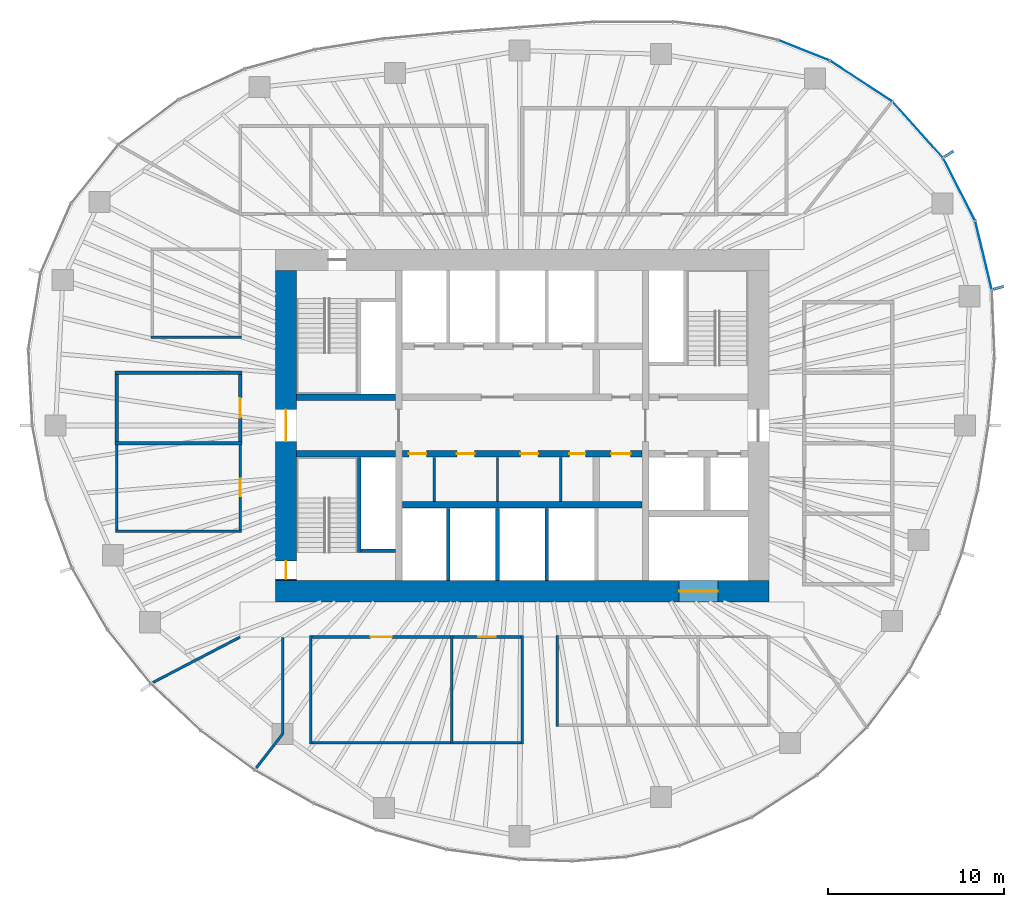
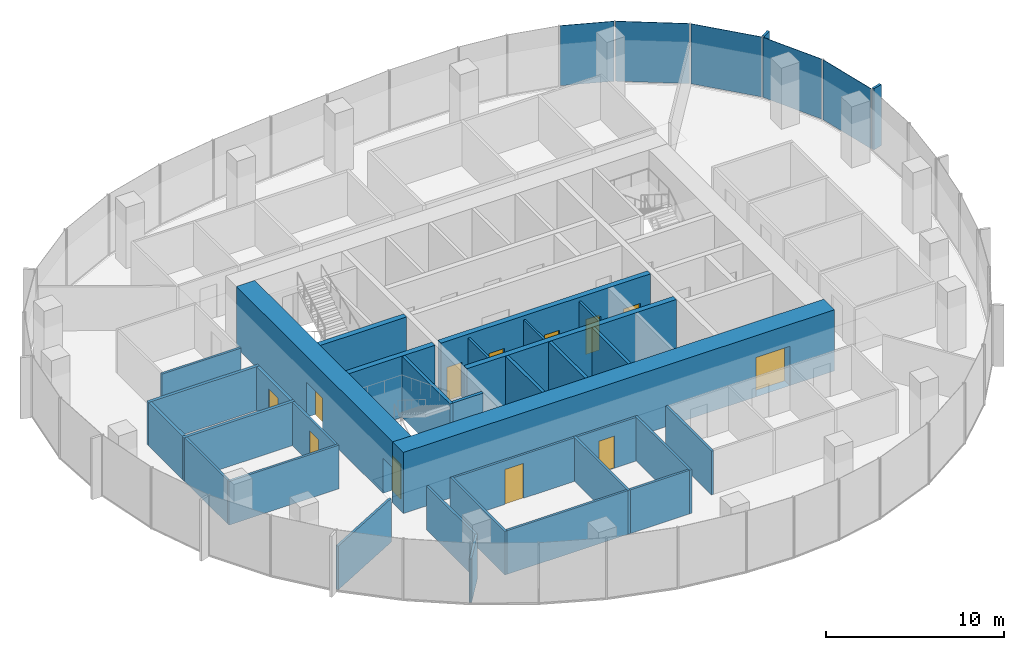
# One storey, part 8 of 12: 33 walls, 12 doors, 7 plates, 12 openings, 3 elements without a shape of their own.
"""IFC4 building model written with IfcOpenShell, lengths in metres."""

from ifc_helpers import new_model, si_unit, direction, frame, frame_2d, origin, origin_2d, place, context, subcontext, project, spatial, rectangle, extrude, material, layer, layer_set, type_object, element, fill, aggregate, save


model = new_model("IFC4")

# Units and contexts
model_context = context("Model", 3, precision=1e-05, world=origin(), true_north=direction((0.0, 1.0)))
body_context = subcontext(model_context, "Body", "Model", "MODEL_VIEW")
ifc_project = project(units=[si_unit("LENGTHUNIT", "METRE"), si_unit("AREAUNIT", "SQUARE_METRE"), si_unit("VOLUMEUNIT", "CUBIC_METRE"), si_unit("PLANEANGLEUNIT", "RADIAN"), si_unit("MASSUNIT", "GRAM", prefix="KILO")], contexts=[model_context])

# Site, building, storey
site_placement = place(None, origin())
site = spatial("IfcSite", under=ifc_project, at=site_placement, CompositionType="ELEMENT")
building_placement = place(site_placement, origin())
building = spatial("IfcBuilding", under=site, at=building_placement, Name="Ghaith Harvest Tower", CompositionType="ELEMENT")
storey_placement = place(building_placement, frame((0.0, 0.0, 232.60009765625)))
storey = spatial("IfcBuildingStorey", under=building, at=storey_placement, Name="L51", CompositionType="ELEMENT", Elevation=232.60009765625)

# Curtain wall, plates
ifc_material_1 = material(Name="Black anodised aluminium and fritted glass", Category="aluminium")
curtain_wall_type = type_object("IfcCurtainWallType", Name="CW-H CURTAIN WALL", PredefinedType="NOTDEFINED", material=ifc_material_1)
curtain_wall_1_placement = place(storey_placement, origin())
curtain_wall_1 = element("IfcCurtainWall", 1, at=curtain_wall_1_placement, inside=storey, type_object=curtain_wall_type, Name="Curtain wall CW-H bay 02 L51", PredefinedType="NOTDEFINED")
ifc_material_2 = material(Name="Glass, dark solar-control fritted double glazed unit", Category="glass")
ifc_layer_1 = layer(ifc_material_2, 0.030029296875)
ifc_layer_set_1 = layer_set([ifc_layer_1], Name="CW-H VISION PANEL")
plate_type_1 = type_object("IfcPlateType", Name="CW-H VISION PANEL", PredefinedType="CURTAIN_PANEL", material=ifc_layer_set_1)
plate_1_placement = place(storey_placement, frame((26.1767578125, 9.6533203125, 0.079833984375), z_axis=(0.0, 0.0, 1.0), x_axis=(-0.233894000303, 0.972262102842, 0.0)))
plate_1 = element("IfcPlate", 2, at=plate_1_placement, type_object=plate_type_1, Name="CW-H glass unit 1 bay 02 L51", PredefinedType="CURTAIN_PANEL", context=body_context, shape_type="SweptSolid", body=[
    extrude(rectangle(XDim=3.935546875, YDim=0.030029296875, at=origin_2d()), origin(), (0.0, 0.0, 1.0), 4.1201171875),
])
plate_2_placement = place(storey_placement, frame((24.790771484375, 13.399658203125, 0.079833984375), z_axis=(0.0, 0.0, 1.0), x_axis=(-0.454915320985, 0.890534699342, 0.0)))
plate_2 = element("IfcPlate", 3, at=plate_2_placement, type_object=plate_type_1, Name="CW-H glass unit 2 bay 02 L51", PredefinedType="CURTAIN_PANEL", context=body_context, shape_type="SweptSolid", body=[
    extrude(rectangle(XDim=3.949462890625, YDim=0.030029296875, at=origin_2d()), origin(), (0.0, 0.0, 1.0), 4.1201171875),
])
aggregate(curtain_wall_1, [plate_1, plate_2])

curtain_wall_2_placement = place(storey_placement, origin())
curtain_wall_2 = element("IfcCurtainWall", 4, at=curtain_wall_2_placement, inside=storey, type_object=curtain_wall_type, Name="Curtain wall CW-H bay 03 L51", PredefinedType="NOTDEFINED")
plate_3_placement = place(storey_placement, frame((22.44384765625, 16.783935546875, 0.079833984375), z_axis=(0.0, 0.0, 1.0), x_axis=(-0.668757736889, 0.743480389352, 0.0)))
plate_3 = element("IfcPlate", 5, at=plate_3_placement, type_object=plate_type_1, Name="CW-H glass unit 1 bay 03 L51", PredefinedType="CURTAIN_PANEL", context=body_context, shape_type="SweptSolid", body=[
    extrude(rectangle(XDim=4.19775390625, YDim=0.030029296875, at=origin_2d()), origin(), (0.0, 0.0, 1.0), 4.1201171875),
])
plate_4_placement = place(storey_placement, frame((19.236328125, 19.539306640625, 0.079833984375), z_axis=(0.0, 0.0, 1.0), x_axis=(-0.836276741583, 0.548307588392, 0.0)))
plate_4 = element("IfcPlate", 6, at=plate_4_placement, type_object=plate_type_1, Name="CW-H glass unit 2 bay 03 L51", PredefinedType="CURTAIN_PANEL", context=body_context, shape_type="SweptSolid", body=[
    extrude(rectangle(XDim=4.169677734375, YDim=0.030029296875, at=origin_2d()), origin(), (0.0, 0.0, 1.0), 4.1201171875),
])
aggregate(curtain_wall_2, [plate_3, plate_4])

# Curtain wall, plate
curtain_wall_3_placement = place(storey_placement, origin())
curtain_wall_3 = element("IfcCurtainWall", 7, at=curtain_wall_3_placement, inside=storey, type_object=curtain_wall_type, Name="Curtain wall CW-H bay 04 L51", PredefinedType="NOTDEFINED")
plate_5_placement = place(storey_placement, frame((15.993408203125, 21.287841796875, 0.079833984375), z_axis=(0.0, 0.0, 1.0), x_axis=(-0.929107322045, 0.369810200133, 0.0)))
plate_5 = element("IfcPlate", 8, at=plate_5_placement, type_object=plate_type_1, Name="CW-H glass unit 1 bay 04 L51", PredefinedType="CURTAIN_PANEL", context=body_context, shape_type="SweptSolid", body=[
    extrude(rectangle(XDim=3.075927734375, YDim=0.030029296875, at=origin_2d()), origin(), (0.0, 0.0, 1.0), 4.1201171875),
])
aggregate(curtain_wall_3, [plate_5])

# Plates
ifc_material_3 = material(Name="Glassfibre-reinforced concrete", Category="concrete")
ifc_layer_2 = layer(ifc_material_3, 0.14990234375)
ifc_layer_set_2 = layer_set([ifc_layer_2], Name="SUN-BREAKER FIN 600x150")
plate_type_2 = type_object("IfcPlateType", Name="SUN-BREAKER FIN 600x150", PredefinedType="USERDEFINED", material=ifc_layer_set_2)
for number, where, z_axis, x_axis, name in (
    (9, (27.03076171875, 7.8125, 0.0), (0.0, 0.0, 1.0), (0.960680349985, 0.277656739792, 0.0), "Sun-breaker fin CW-H 1 bay 02 L51"),
    (10, (24.211669921875, 15.408447265625, 0.0), (0.0, 0.0, 1.0), (0.843643971464, 0.536903016766, 0.0), "Sun-breaker fin CW-H 1 bay 03 L51"),
):
    element("IfcPlate", number, at=place(storey_placement, frame(where, z_axis=z_axis, x_axis=x_axis)), inside=storey, type_object=plate_type_2, Name=name, ObjectType="SUN-BREAKER FIN", PredefinedType="USERDEFINED", context=body_context, shape_type="SweptSolid", body=[
        extrude(rectangle(XDim=0.60009765625, YDim=0.14990234375, at=origin_2d()), origin(), (0.0, 0.0, 1.0), 4.199951171875),
    ])

# Walls
ifc_material_4 = material(Name="Twin-stud gypsum board, acoustic", Category="gypsum")
ifc_layer_3 = layer(ifc_material_4, 0.199951171875)
ifc_layer_set_3 = layer_set([ifc_layer_3], Name="ACOUSTIC PARTITION 200")
wall_type_1 = type_object("IfcWallType", Name="ACOUSTIC PARTITION 200", PredefinedType="PARTITIONING", material=ifc_layer_set_3)
for number, where, z_axis, x_axis, name in (
    (11, (-15.89990234375, -1.0, 0.0), (0.0, 0.0, 1.0), (-1.0, 0.0, 0.0), "Partition L51 row W6 cross wall 2"),
    (12, (-15.89990234375, 3.0, 0.0), (0.0, 0.0, 1.0), (-1.0, 0.0, 0.0), "Partition L51 row W6 cross wall 3"),
):
    element("IfcWall", number, at=place(storey_placement, frame(where, z_axis=z_axis, x_axis=x_axis)), inside=storey, type_object=wall_type_1, Name=name, PredefinedType="PARTITIONING", context=body_context, shape_type="SweptSolid", body=[
        extrude(rectangle(XDim=7.2001953125, YDim=0.199951171875, at=frame_2d((3.60009765625, 0.0))), origin(), (0.0, 0.0, 1.0), 3.0),
    ])

# Wall, opening, door
wall_1_placement = place(storey_placement, frame((-16.0, -0.89990234375, 0.0), z_axis=(0.0, 0.0, 1.0), x_axis=(0.0, 1.0, 0.0)))
wall_1 = element("IfcWall", 13, at=wall_1_placement, inside=storey, type_object=wall_type_1, Name="Partition L51-17", PredefinedType="PARTITIONING", context=body_context, shape_type="SweptSolid", body=[
    extrude(rectangle(XDim=3.7998046875, YDim=0.199951171875, at=frame_2d((1.89990234375, 0.0))), origin(), (0.0, 0.0, 1.0), 3.0),
])
opening_1_placement = place(wall_1_placement, frame((1.35009765625, 0.0, 0.0)))
opening_1 = element("IfcOpeningElement", 14, at=opening_1_placement, cuts=wall_1, Name="Opening 51-038", PredefinedType="OPENING", context=body_context, shape_type="SweptSolid", body=[
    extrude(rectangle(XDim=1.10009765625, YDim=2.300048828125, at=frame_2d((0.550048828125, 1.14990234375))), frame((0.0, 0.10986328125, 0.0), z_axis=(0.0, -1.0, 0.0), x_axis=(1.0, 0.0, 0.0)), (0.0, 0.0, 1.0), 0.219970703125),
])
ifc_material_5 = material(Name="Timber-framed glazed door", Category="wood")
door_type_1 = type_object("IfcDoorType", Name="D12 GLAZED OFFICE 1100x2300", OperationType="SINGLE_SWING_LEFT", PredefinedType="DOOR", material=ifc_material_5)
door_1_placement = place(opening_1_placement, origin())
door_1 = element("IfcDoor", 15, at=door_1_placement, inside=storey, type_object=door_type_1, Name="Quiet room door", OperationType="SINGLE_SWING_LEFT", OverallHeight=2.300048828125, OverallWidth=1.10009765625, PredefinedType="DOOR", context=body_context, shape_type="SweptSolid", body=[
    extrude(rectangle(XDim=1.10009765625, YDim=2.300048828125, at=frame_2d((0.550048828125, 1.14990234375))), frame((0.0, 0.02490234375, 0.0), z_axis=(0.0, -1.0, 0.0), x_axis=(1.0, 0.0, 0.0)), (0.0, 0.0, 1.0), 0.050048828125),
])
fill(opening_1, door_1)

# Walls
wall_2_placement = place(storey_placement, frame((-23.0, -0.89990234375, 0.0), z_axis=(0.0, 0.0, 1.0), x_axis=(0.0, 1.0, 0.0)))
element("IfcWall", 16, at=wall_2_placement, inside=storey, type_object=wall_type_1, Name="Partition L51-17", PredefinedType="PARTITIONING", context=body_context, shape_type="SweptSolid", body=[
    extrude(rectangle(XDim=3.7998046875, YDim=0.199951171875, at=frame_2d((1.89990234375, 0.0))), origin(), (0.0, 0.0, 1.0), 3.0),
])
ifc_material_6 = material(Name="Concrete blockwork, fair-faced", Category="masonry")
ifc_layer_4 = layer(ifc_material_6, 0.139892578125)
ifc_layer_set_4 = layer_set([ifc_layer_4], Name="CORE PARTITION 140")
wall_type_2 = type_object("IfcWallType", Name="CORE PARTITION 140", PredefinedType="PARTITIONING", material=ifc_layer_set_4)
for number, where, z_axis, x_axis, name in (
    (17, (-5.0, -1.800048828125, 0.0), (0.0, 0.0, 1.0), (0.0, -1.0, 0.0), "Core partition L51"),
    (18, (-1.39990234375, -1.800048828125, 0.0), (0.0, 0.0, 1.0), (0.0, -1.0, 0.0), "Core partition L51"),
    (19, (2.199951171875, -1.800048828125, 0.0), (0.0, 0.0, 1.0), (0.0, -1.0, 0.0), "Core partition L51"),
):
    element("IfcWall", number, at=place(storey_placement, frame(where, z_axis=z_axis, x_axis=x_axis)), inside=storey, type_object=wall_type_2, Name=name, PredefinedType="PARTITIONING", context=body_context, shape_type="SweptSolid", body=[
        extrude(rectangle(XDim=2.5, YDim=0.139892578125, at=frame_2d((1.25, 0.0))), origin(), (0.0, 0.0, 1.0), 3.949951171875),
    ])

# Wall, opening, door
ifc_material_7 = material(Name="Concrete C60/75", Category="concrete")
ifc_layer_5 = layer(ifc_material_7, 1.199951171875)
ifc_layer_set_5 = layer_set([ifc_layer_5], Name="CORE WALL CW1200 C60")
wall_type_3 = type_object("IfcWallType", Name="CORE WALL CW1200 C60", PredefinedType="SHEAR", material=ifc_layer_set_5)
wall_3_placement = place(storey_placement, frame((-14.0, -9.39990234375, 0.0), z_axis=(0.0, 0.0, 1.0), x_axis=(1.0, 0.0, 0.0)))
wall_3 = element("IfcWall", 20, at=wall_3_placement, inside=storey, type_object=wall_type_3, Name="Core wall S L51", PredefinedType="SHEAR", context=body_context, shape_type="SweptSolid", body=[
    extrude(rectangle(XDim=28.0, YDim=1.199951171875, at=frame_2d((14.0, 0.0))), origin(), (0.0, 0.0, 1.0), 4.199951171875),
])
opening_2_placement = place(wall_3_placement, frame((22.89990234375, 0.0, 0.0)))
opening_2 = element("IfcOpeningElement", 21, at=opening_2_placement, cuts=wall_3, Name="Opening 51-021", PredefinedType="OPENING", context=body_context, shape_type="SweptSolid", body=[
    extrude(rectangle(XDim=2.199951171875, YDim=2.699951171875, at=frame_2d((1.10009765625, 1.35009765625))), frame((0.0, 0.60986328125, 0.0), z_axis=(0.0, -1.0, 0.0), x_axis=(1.0, 0.0, 0.0)), (0.0, 0.0, 1.0), 1.219970703125),
])
ifc_material_8 = material(Name="Steel fire door", Category="steel")
door_type_2 = type_object("IfcDoorType", Name="LD3 LANDING 2200x2700", OperationType="DOUBLE_DOOR_SLIDING", PredefinedType="DOOR", material=ifc_material_8)
door_2_placement = place(opening_2_placement, origin())
door_2 = element("IfcDoor", 22, at=door_2_placement, inside=storey, type_object=door_type_2, Name="Landing door, goods lift GL1", OperationType="DOUBLE_DOOR_SLIDING", OverallHeight=2.699951171875, OverallWidth=2.199951171875, PredefinedType="DOOR", context=body_context, shape_type="SweptSolid", body=[
    extrude(rectangle(XDim=2.199951171875, YDim=2.699951171875, at=frame_2d((1.10009765625, 1.35009765625))), frame((0.0, 0.02490234375, 0.0), z_axis=(0.0, -1.0, 0.0), x_axis=(1.0, 0.0, 0.0)), (0.0, 0.0, 1.0), 0.050048828125),
])
fill(opening_2, door_2)

# Wall, openings, doors
wall_4_placement = place(storey_placement, frame((-13.39990234375, 8.800048828125, 0.0), z_axis=(0.0, 0.0, 1.0), x_axis=(0.0, -1.0, 0.0)))
wall_4 = element("IfcWall", 23, at=wall_4_placement, inside=storey, type_object=wall_type_3, Name="Core wall W L51", PredefinedType="SHEAR", context=body_context, shape_type="SweptSolid", body=[
    extrude(rectangle(XDim=17.60009765625, YDim=1.199951171875, at=frame_2d((8.800048828125, 0.0))), origin(), (0.0, 0.0, 1.0), 4.199951171875),
])
opening_3_placement = place(wall_4_placement, frame((7.89990234375, 0.0, 0.0)))
opening_3 = element("IfcOpeningElement", 24, at=opening_3_placement, cuts=wall_4, Name="Opening 51-001", PredefinedType="OPENING", context=body_context, shape_type="SweptSolid", body=[
    extrude(rectangle(XDim=1.800048828125, YDim=2.39990234375, at=frame_2d((0.89990234375, 1.199951171875))), frame((0.0, 0.60986328125, 0.0), z_axis=(0.0, -1.0, 0.0), x_axis=(1.0, 0.0, 0.0)), (0.0, 0.0, 1.0), 1.219970703125),
])
opening_4_placement = place(wall_4_placement, frame((16.5, 0.0, 0.0)))
opening_4 = element("IfcOpeningElement", 25, at=opening_4_placement, cuts=wall_4, Name="Opening 51-006", PredefinedType="OPENING", context=body_context, shape_type="SweptSolid", body=[
    extrude(rectangle(XDim=1.0, YDim=2.39990234375, at=frame_2d((0.5, 1.199951171875))), frame((0.0, 0.60986328125, 0.0), z_axis=(0.0, -1.0, 0.0), x_axis=(1.0, 0.0, 0.0)), (0.0, 0.0, 1.0), 1.219970703125),
])
ifc_material_9 = material(Name="Steel fire door", Category="steel")
door_type_3 = type_object("IfcDoorType", Name="D3 FD90 1000x2400", OperationType="SINGLE_SWING_LEFT", PredefinedType="DOOR", material=ifc_material_9)
door_3_placement = place(opening_4_placement, origin())
door_3 = element("IfcDoor", 26, at=door_3_placement, inside=storey, type_object=door_type_3, Name="Stair ST3 door", OperationType="SINGLE_SWING_RIGHT", OverallHeight=2.39990234375, OverallWidth=1.0, PredefinedType="DOOR", context=body_context, shape_type="SweptSolid", body=[
    extrude(rectangle(XDim=1.0, YDim=2.39990234375, at=frame_2d((0.5, 1.199951171875))), frame((0.0, 0.02490234375, 0.0), z_axis=(0.0, -1.0, 0.0), x_axis=(1.0, 0.0, 0.0)), (0.0, 0.0, 1.0), 0.050048828125),
])
fill(opening_4, door_3)
ifc_material_10 = material(Name="Steel fire door", Category="steel")
door_type_4 = type_object("IfcDoorType", Name="D4 FD90 PAIR 1800x2400", OperationType="DOUBLE_DOOR_SINGLE_SWING", PredefinedType="DOOR", material=ifc_material_10)
door_4_placement = place(opening_3_placement, origin())
door_4 = element("IfcDoor", 27, at=door_4_placement, inside=storey, type_object=door_type_4, Name="West lobby doors", OperationType="DOUBLE_DOOR_SINGLE_SWING", OverallHeight=2.39990234375, OverallWidth=1.800048828125, PredefinedType="DOOR", context=body_context, shape_type="SweptSolid", body=[
    extrude(rectangle(XDim=1.800048828125, YDim=2.39990234375, at=frame_2d((0.89990234375, 1.199951171875))), frame((0.0, 0.02490234375, 0.0), z_axis=(0.0, -1.0, 0.0), x_axis=(1.0, 0.0, 0.0)), (0.0, 0.0, 1.0), 0.050048828125),
])
fill(opening_3, door_4)

# Walls
ifc_material_11 = material(Name="Concrete blockwork, 2-hour", Category="masonry")
ifc_layer_6 = layer(ifc_material_11, 0.199951171875)
ifc_layer_set_6 = layer_set([ifc_layer_6], Name="LIFT SHAFT WALL 200")
wall_type_4 = type_object("IfcWallType", Name="LIFT SHAFT WALL 200", PredefinedType="PARTITIONING", material=ifc_layer_set_6)
for number, where, z_axis, x_axis, name in (
    (28, (-4.199951171875, -4.699951171875, 0.0), (0.0, 0.0, 1.0), (0.0, -1.0, 0.0), "Lift shaft wall L51"),
    (29, (-1.39990234375, -4.699951171875, 0.0), (0.0, 0.0, 1.0), (0.0, -1.0, 0.0), "Lift shaft wall L51"),
    (30, (1.39990234375, -4.699951171875, 0.0), (0.0, 0.0, 1.0), (0.0, -1.0, 0.0), "Lift shaft wall L51"),
):
    element("IfcWall", number, at=place(storey_placement, frame(where, z_axis=z_axis, x_axis=x_axis)), inside=storey, type_object=wall_type_4, Name=name, PredefinedType="PARTITIONING", context=body_context, shape_type="SweptSolid", body=[
        extrude(rectangle(XDim=4.10009765625, YDim=0.199951171875, at=frame_2d((2.050048828125, 0.0))), origin(), (0.0, 0.0, 1.0), 4.199951171875),
    ])
ifc_material_12 = material(Name="Gypsum board on steel studs", Category="steel")
ifc_layer_7 = layer(ifc_material_12, 0.14990234375)
ifc_layer_set_7 = layer_set([ifc_layer_7], Name="PARTITION 150")
wall_type_5 = type_object("IfcWallType", Name="PARTITION 150", PredefinedType="PARTITIONING", material=ifc_layer_set_7)
for number, where, z_axis, x_axis, name in (
    (31, (-12.0, -11.925048828125, 0.0), (0.0, 0.0, 1.0), (0.0, -1.0, 0.0), "Partition L51 row S1 cross wall 1"),
    (32, (-4.0, -11.925048828125, 0.0), (0.0, 0.0, 1.0), (0.0, -1.0, 0.0), "Partition L51 row S1 cross wall 2"),
    (33, (0.0, -11.925048828125, 0.0), (0.0, 0.0, 1.0), (0.0, -1.0, 0.0), "Partition L51 row S1 cross wall 3"),
):
    element("IfcWall", number, at=place(storey_placement, frame(where, z_axis=z_axis, x_axis=x_axis)), inside=storey, type_object=wall_type_5, Name=name, PredefinedType="PARTITIONING", context=body_context, shape_type="SweptSolid", body=[
        extrude(rectangle(XDim=6.14990234375, YDim=0.14990234375, at=frame_2d((3.074951171875, 0.0))), origin(), (0.0, 0.0, 1.0), 3.0),
    ])

# Wall, opening, door
wall_5_placement = place(storey_placement, frame((-11.925048828125, -12.0, 0.0), z_axis=(0.0, 0.0, 1.0), x_axis=(1.0, 0.0, 0.0)))
wall_5 = element("IfcWall", 34, at=wall_5_placement, inside=storey, type_object=wall_type_5, Name="Partition L51-01", PredefinedType="PARTITIONING", context=body_context, shape_type="SweptSolid", body=[
    extrude(rectangle(XDim=7.85009765625, YDim=0.14990234375, at=frame_2d((3.925048828125, 0.0))), origin(), (0.0, 0.0, 1.0), 3.0),
])
opening_5_placement = place(wall_5_placement, frame((3.324951171875, 0.0, 0.0)))
opening_5 = element("IfcOpeningElement", 35, at=opening_5_placement, cuts=wall_5, Name="Opening 51-022", PredefinedType="OPENING", context=body_context, shape_type="SweptSolid", body=[
    extrude(rectangle(XDim=1.199951171875, YDim=2.39990234375, at=frame_2d((0.60009765625, 1.199951171875))), frame((0.0, 0.0849609375, 0.0), z_axis=(0.0, -1.0, 0.0), x_axis=(1.0, 0.0, 0.0)), (0.0, 0.0, 1.0), 0.169921875),
])
ifc_material_13 = material(Name="Timber door", Category="wood")
door_type_5 = type_object("IfcDoorType", Name="D11 GLAZED 1200x2400", OperationType="SINGLE_SWING_LEFT", PredefinedType="DOOR", material=ifc_material_13)
door_5_placement = place(opening_5_placement, origin())
door_5 = element("IfcDoor", 36, at=door_5_placement, inside=storey, type_object=door_type_5, Name="Operations room door", OperationType="SINGLE_SWING_LEFT", OverallHeight=2.39990234375, OverallWidth=1.199951171875, PredefinedType="DOOR", context=body_context, shape_type="SweptSolid", body=[
    extrude(rectangle(XDim=1.199951171875, YDim=2.39990234375, at=frame_2d((0.60009765625, 1.199951171875))), frame((0.0, 0.02490234375, 0.0), z_axis=(0.0, -1.0, 0.0), x_axis=(1.0, 0.0, 0.0)), (0.0, 0.0, 1.0), 0.050048828125),
])
fill(opening_5, door_5)

# Wall
wall_6_placement = place(storey_placement, frame((-11.925048828125, -18.0, 0.0), z_axis=(0.0, 0.0, 1.0), x_axis=(1.0, 0.0, 0.0)))
element("IfcWall", 37, at=wall_6_placement, inside=storey, type_object=wall_type_5, Name="Partition L51-01", PredefinedType="PARTITIONING", context=body_context, shape_type="SweptSolid", body=[
    extrude(rectangle(XDim=7.85009765625, YDim=0.14990234375, at=frame_2d((3.925048828125, 0.0))), origin(), (0.0, 0.0, 1.0), 3.0),
])

# Wall, opening, door
wall_7_placement = place(storey_placement, frame((-3.925048828125, -12.0, 0.0), z_axis=(0.0, 0.0, 1.0), x_axis=(1.0, 0.0, 0.0)))
wall_7 = element("IfcWall", 38, at=wall_7_placement, inside=storey, type_object=wall_type_5, Name="Partition L51-02", PredefinedType="PARTITIONING", context=body_context, shape_type="SweptSolid", body=[
    extrude(rectangle(XDim=3.85009765625, YDim=0.14990234375, at=frame_2d((1.925048828125, 0.0))), origin(), (0.0, 0.0, 1.0), 3.0),
])
opening_6_placement = place(wall_7_placement, frame((1.425048828125, 0.0, 0.0)))
opening_6 = element("IfcOpeningElement", 39, at=opening_6_placement, cuts=wall_7, Name="Opening 51-023", PredefinedType="OPENING", context=body_context, shape_type="SweptSolid", body=[
    extrude(rectangle(XDim=1.0, YDim=2.199951171875, at=frame_2d((0.5, 1.10009765625))), frame((0.0, 0.0849609375, 0.0), z_axis=(0.0, -1.0, 0.0), x_axis=(1.0, 0.0, 0.0)), (0.0, 0.0, 1.0), 0.169921875),
])
ifc_material_14 = material(Name="Timber door", Category="wood")
door_type_6 = type_object("IfcDoorType", Name="D1 SINGLE 1000x2200", OperationType="SINGLE_SWING_LEFT", PredefinedType="DOOR", material=ifc_material_14)
door_6_placement = place(opening_6_placement, origin())
door_6 = element("IfcDoor", 40, at=door_6_placement, inside=storey, type_object=door_type_6, Name="Store door", OperationType="SINGLE_SWING_LEFT", OverallHeight=2.199951171875, OverallWidth=1.0, PredefinedType="DOOR", context=body_context, shape_type="SweptSolid", body=[
    extrude(rectangle(XDim=1.0, YDim=2.199951171875, at=frame_2d((0.5, 1.10009765625))), frame((0.0, 0.02490234375, 0.0), z_axis=(0.0, -1.0, 0.0), x_axis=(1.0, 0.0, 0.0)), (0.0, 0.0, 1.0), 0.050048828125),
])
fill(opening_6, door_6)

# Walls
wall_8_placement = place(storey_placement, frame((-3.925048828125, -18.0, 0.0), z_axis=(0.0, 0.0, 1.0), x_axis=(1.0, 0.0, 0.0)))
element("IfcWall", 41, at=wall_8_placement, inside=storey, type_object=wall_type_5, Name="Partition L51-02", PredefinedType="PARTITIONING", context=body_context, shape_type="SweptSolid", body=[
    extrude(rectangle(XDim=3.85009765625, YDim=0.14990234375, at=frame_2d((1.925048828125, 0.0))), origin(), (0.0, 0.0, 1.0), 3.0),
])
wall_9_placement = place(storey_placement, frame((2.0, -11.925048828125, 0.0), z_axis=(0.0, 0.0, 1.0), x_axis=(0.0, -1.0, 0.0)))
element("IfcWall", 42, at=wall_9_placement, inside=storey, type_object=wall_type_5, Name="Partition L51 row S2 cross wall 1", PredefinedType="PARTITIONING", context=body_context, shape_type="SweptSolid", body=[
    extrude(rectangle(XDim=5.14990234375, YDim=0.14990234375, at=frame_2d((2.574951171875, 0.0))), origin(), (0.0, 0.0, 1.0), 3.0),
])
wall_10_placement = place(storey_placement, frame((-15.925048828125, -6.0, 0.0), z_axis=(0.0, 0.0, 1.0), x_axis=(-1.0, 0.0, 0.0)))
element("IfcWall", 43, at=wall_10_placement, inside=storey, type_object=wall_type_5, Name="Partition L51 row W6 cross wall 1", PredefinedType="PARTITIONING", context=body_context, shape_type="SweptSolid", body=[
    extrude(rectangle(XDim=7.14990234375, YDim=0.14990234375, at=frame_2d((3.574951171875, 0.0))), origin(), (0.0, 0.0, 1.0), 3.0),
])

# Wall, opening, door
wall_11_placement = place(storey_placement, frame((-16.0, -5.925048828125, 0.0), z_axis=(0.0, 0.0, 1.0), x_axis=(0.0, 1.0, 0.0)))
wall_11 = element("IfcWall", 44, at=wall_11_placement, inside=storey, type_object=wall_type_5, Name="Partition L51-16", PredefinedType="PARTITIONING", context=body_context, shape_type="SweptSolid", body=[
    extrude(rectangle(XDim=4.824951171875, YDim=0.14990234375, at=frame_2d((2.41259765625, 0.0))), origin(), (0.0, 0.0, 1.0), 3.0),
])
opening_7_placement = place(wall_11_placement, frame((1.91259765625, 0.0, 0.0)))
opening_7 = element("IfcOpeningElement", 45, at=opening_7_placement, cuts=wall_11, Name="Opening 51-037", PredefinedType="OPENING", context=body_context, shape_type="SweptSolid", body=[
    extrude(rectangle(XDim=1.0, YDim=2.199951171875, at=frame_2d((0.5, 1.10009765625))), frame((0.0, 0.0849609375, 0.0), z_axis=(0.0, -1.0, 0.0), x_axis=(1.0, 0.0, 0.0)), (0.0, 0.0, 1.0), 0.169921875),
])
door_7_placement = place(opening_7_placement, origin())
door_7 = element("IfcDoor", 46, at=door_7_placement, inside=storey, type_object=door_type_6, Name="Print room door", OperationType="SINGLE_SWING_LEFT", OverallHeight=2.199951171875, OverallWidth=1.0, PredefinedType="DOOR", context=body_context, shape_type="SweptSolid", body=[
    extrude(rectangle(XDim=1.0, YDim=2.199951171875, at=frame_2d((0.5, 1.10009765625))), frame((0.0, 0.02490234375, 0.0), z_axis=(0.0, -1.0, 0.0), x_axis=(1.0, 0.0, 0.0)), (0.0, 0.0, 1.0), 0.050048828125),
])
fill(opening_7, door_7)

# Walls
wall_12_placement = place(storey_placement, frame((-23.0, -5.925048828125, 0.0), z_axis=(0.0, 0.0, 1.0), x_axis=(0.0, 1.0, 0.0)))
element("IfcWall", 47, at=wall_12_placement, inside=storey, type_object=wall_type_5, Name="Partition L51-16", PredefinedType="PARTITIONING", context=body_context, shape_type="SweptSolid", body=[
    extrude(rectangle(XDim=4.824951171875, YDim=0.14990234375, at=frame_2d((2.41259765625, 0.0))), origin(), (0.0, 0.0, 1.0), 3.0),
])
wall_13_placement = place(storey_placement, frame((-15.925048828125, 5.0, 0.0), z_axis=(0.0, 0.0, 1.0), x_axis=(-1.0, 0.0, 0.0)))
element("IfcWall", 48, at=wall_13_placement, inside=storey, type_object=wall_type_5, Name="Partition L51 row W7 cross wall 1", PredefinedType="PARTITIONING", context=body_context, shape_type="SweptSolid", body=[
    extrude(rectangle(XDim=5.14990234375, YDim=0.14990234375, at=frame_2d((2.574951171875, 0.0))), origin(), (0.0, 0.0, 1.0), 3.0),
])
wall_14_placement = place(storey_placement, frame((-16.017578125, -12.00927734375, 0.0), z_axis=(0.0, 0.0, 1.0), x_axis=(-0.886831549241, -0.462092851351, 0.0)))
element("IfcWall", 49, at=wall_14_placement, inside=storey, type_object=wall_type_5, Name="Partition L51 zone division", PredefinedType="PARTITIONING", context=body_context, shape_type="SweptSolid", body=[
    extrude(rectangle(XDim=5.555419921875, YDim=0.14990234375, at=frame_2d((2.77783203125, 0.0))), origin(), (0.0, 0.0, 1.0), 3.0),
])
wall_15_placement = place(storey_placement, frame((-13.594970703125, -12.02001953125, 0.0), z_axis=(0.0, 0.0, 1.0), x_axis=(0.0, -1.0, 0.0)))
element("IfcWall", 50, at=wall_15_placement, inside=storey, type_object=wall_type_5, Name="Partition L51 zone division", PredefinedType="PARTITIONING", context=body_context, shape_type="SweptSolid", body=[
    extrude(rectangle(XDim=5.48486328125, YDim=0.14990234375, at=frame_2d((2.742431640625, 0.0))), origin(), (0.0, 0.0, 1.0), 3.0),
])
wall_16_placement = place(storey_placement, frame((-13.594970703125, -17.5048828125, 0.0), z_axis=(0.0, 0.0, 1.0), x_axis=(-0.613379342147, -0.78978844169, 0.0)))
element("IfcWall", 51, at=wall_16_placement, inside=storey, type_object=wall_type_5, Name="Partition L51 zone division", PredefinedType="PARTITIONING", context=body_context, shape_type="SweptSolid", body=[
    extrude(rectangle(XDim=2.43994140625, YDim=0.14990234375, at=frame_2d((1.219970703125, 0.0))), origin(), (0.0, 0.0, 1.0), 3.0),
])

# Wall, openings, doors
ifc_material_15 = material(Name="Concrete C60/75", Category="concrete")
ifc_layer_8 = layer(ifc_material_15, 0.35009765625)
ifc_layer_set_8 = layer_set([ifc_layer_8], Name="SHAFT WALL 350")
wall_type_6 = type_object("IfcWallType", Name="SHAFT WALL 350", PredefinedType="SHEAR", material=ifc_layer_set_8)
wall_17_placement = place(storey_placement, frame((-6.800048828125, -1.60009765625, 0.0), z_axis=(0.0, 0.0, 1.0), x_axis=(1.0, 0.0, 0.0)))
wall_17 = element("IfcWall", 52, at=wall_17_placement, inside=storey, type_object=wall_type_6, Name="Shaft wall LS L51", PredefinedType="SHEAR", context=body_context, shape_type="SweptSolid", body=[
    extrude(rectangle(XDim=13.60009765625, YDim=0.35009765625, at=frame_2d((6.800048828125, 0.0))), origin(), (0.0, 0.0, 1.0), 4.199951171875),
])
opening_8_placement = place(wall_17_placement, frame((0.364990234375, 0.0, 0.0)))
opening_8 = element("IfcOpeningElement", 53, at=opening_8_placement, cuts=wall_17, Name="Opening 51-008", PredefinedType="OPENING", context=body_context, shape_type="SweptSolid", body=[
    extrude(rectangle(XDim=1.0, YDim=2.39990234375, at=frame_2d((0.5, 1.199951171875))), frame((0.0, 0.18505859375, 0.0), z_axis=(0.0, -1.0, 0.0), x_axis=(1.0, 0.0, 0.0)), (0.0, 0.0, 1.0), 0.3701171875),
])
opening_9_placement = place(wall_17_placement, frame((3.10009765625, 0.0, 0.0)))
opening_9 = element("IfcOpeningElement", 54, at=opening_9_placement, cuts=wall_17, Name="Opening 51-009", PredefinedType="OPENING", context=body_context, shape_type="SweptSolid", body=[
    extrude(rectangle(XDim=1.0, YDim=2.39990234375, at=frame_2d((0.5, 1.199951171875))), frame((0.0, 0.18505859375, 0.0), z_axis=(0.0, -1.0, 0.0), x_axis=(1.0, 0.0, 0.0)), (0.0, 0.0, 1.0), 0.3701171875),
])
opening_10_placement = place(wall_17_placement, frame((6.699951171875, 0.0, 0.0)))
opening_10 = element("IfcOpeningElement", 55, at=opening_10_placement, cuts=wall_17, Name="Opening 51-010", PredefinedType="OPENING", context=body_context, shape_type="SweptSolid", body=[
    extrude(rectangle(XDim=1.0, YDim=2.39990234375, at=frame_2d((0.5, 1.199951171875))), frame((0.0, 0.18505859375, 0.0), z_axis=(0.0, -1.0, 0.0), x_axis=(1.0, 0.0, 0.0)), (0.0, 0.0, 1.0), 0.3701171875),
])
opening_11_placement = place(wall_17_placement, frame((9.485107421875, 0.0, 0.0)))
opening_11 = element("IfcOpeningElement", 56, at=opening_11_placement, cuts=wall_17, Name="Opening 51-011", PredefinedType="OPENING", context=body_context, shape_type="SweptSolid", body=[
    extrude(rectangle(XDim=0.89990234375, YDim=2.39990234375, at=frame_2d((0.449951171875, 1.199951171875))), frame((0.0, 0.18505859375, 0.0), z_axis=(0.0, -1.0, 0.0), x_axis=(1.0, 0.0, 0.0)), (0.0, 0.0, 1.0), 0.3701171875),
])
opening_12_placement = place(wall_17_placement, frame((11.85009765625, 0.0, 0.0)))
opening_12 = element("IfcOpeningElement", 57, at=opening_12_placement, cuts=wall_17, Name="Opening 51-013", PredefinedType="OPENING", context=body_context, shape_type="SweptSolid", body=[
    extrude(rectangle(XDim=1.10009765625, YDim=2.39990234375, at=frame_2d((0.550048828125, 1.199951171875))), frame((0.0, 0.18505859375, 0.0), z_axis=(0.0, -1.0, 0.0), x_axis=(1.0, 0.0, 0.0)), (0.0, 0.0, 1.0), 0.3701171875),
])
door_8_placement = place(opening_8_placement, origin())
door_8 = element("IfcDoor", 58, at=door_8_placement, inside=storey, type_object=door_type_3, Name="Print room door", OperationType="SINGLE_SWING_LEFT", OverallHeight=2.39990234375, OverallWidth=1.0, PredefinedType="DOOR", context=body_context, shape_type="SweptSolid", body=[
    extrude(rectangle(XDim=1.0, YDim=2.39990234375, at=frame_2d((0.5, 1.199951171875))), frame((0.0, 0.02490234375, 0.0), z_axis=(0.0, -1.0, 0.0), x_axis=(1.0, 0.0, 0.0)), (0.0, 0.0, 1.0), 0.050048828125),
])
fill(opening_8, door_8)
door_9_placement = place(opening_9_placement, origin())
door_9 = element("IfcDoor", 59, at=door_9_placement, inside=storey, type_object=door_type_3, Name="Male WC door", OperationType="SINGLE_SWING_LEFT", OverallHeight=2.39990234375, OverallWidth=1.0, PredefinedType="DOOR", context=body_context, shape_type="SweptSolid", body=[
    extrude(rectangle(XDim=1.0, YDim=2.39990234375, at=frame_2d((0.5, 1.199951171875))), frame((0.0, 0.02490234375, 0.0), z_axis=(0.0, -1.0, 0.0), x_axis=(1.0, 0.0, 0.0)), (0.0, 0.0, 1.0), 0.050048828125),
])
fill(opening_9, door_9)
door_10_placement = place(opening_10_placement, origin())
door_10 = element("IfcDoor", 60, at=door_10_placement, inside=storey, type_object=door_type_3, Name="Female WC door", OperationType="SINGLE_SWING_RIGHT", OverallHeight=2.39990234375, OverallWidth=1.0, PredefinedType="DOOR", context=body_context, shape_type="SweptSolid", body=[
    extrude(rectangle(XDim=1.0, YDim=2.39990234375, at=frame_2d((0.5, 1.199951171875))), frame((0.0, 0.02490234375, 0.0), z_axis=(0.0, -1.0, 0.0), x_axis=(1.0, 0.0, 0.0)), (0.0, 0.0, 1.0), 0.050048828125),
])
fill(opening_10, door_10)
ifc_material_16 = material(Name="Steel fire door", Category="steel")
door_type_7 = type_object("IfcDoorType", Name="D5 FD90 900x2400", OperationType="SINGLE_SWING_LEFT", PredefinedType="DOOR", material=ifc_material_16)
door_11_placement = place(opening_11_placement, origin())
door_11 = element("IfcDoor", 61, at=door_11_placement, inside=storey, type_object=door_type_7, Name="Cleaner's store door", OperationType="SINGLE_SWING_RIGHT", OverallHeight=2.39990234375, OverallWidth=0.89990234375, PredefinedType="DOOR", context=body_context, shape_type="SweptSolid", body=[
    extrude(rectangle(XDim=0.89990234375, YDim=2.39990234375, at=frame_2d((0.449951171875, 1.199951171875))), frame((0.0, 0.02490234375, 0.0), z_axis=(0.0, -1.0, 0.0), x_axis=(1.0, 0.0, 0.0)), (0.0, 0.0, 1.0), 0.050048828125),
])
fill(opening_11, door_11)
ifc_material_17 = material(Name="Steel fire door", Category="steel")
door_type_8 = type_object("IfcDoorType", Name="D9 FD90 1100x2400", OperationType="SINGLE_SWING_LEFT", PredefinedType="DOOR", material=ifc_material_17)
door_12_placement = place(opening_12_placement, origin())
door_12 = element("IfcDoor", 62, at=door_12_placement, inside=storey, type_object=door_type_8, Name="Accessible WC door", OperationType="SINGLE_SWING_RIGHT", OverallHeight=2.39990234375, OverallWidth=1.10009765625, PredefinedType="DOOR", context=body_context, shape_type="SweptSolid", body=[
    extrude(rectangle(XDim=1.10009765625, YDim=2.39990234375, at=frame_2d((0.550048828125, 1.199951171875))), frame((0.0, 0.02490234375, 0.0), z_axis=(0.0, -1.0, 0.0), x_axis=(1.0, 0.0, 0.0)), (0.0, 0.0, 1.0), 0.050048828125),
])
fill(opening_12, door_12)

# Walls
wall_18_placement = place(storey_placement, frame((-6.800048828125, -4.5, 0.0), z_axis=(0.0, 0.0, 1.0), x_axis=(1.0, 0.0, 0.0)))
element("IfcWall", 63, at=wall_18_placement, inside=storey, type_object=wall_type_6, Name="Shaft wall BS L51", PredefinedType="SHEAR", context=body_context, shape_type="SweptSolid", body=[
    extrude(rectangle(XDim=13.60009765625, YDim=0.35009765625, at=frame_2d((6.800048828125, 0.0))), origin(), (0.0, 0.0, 1.0), 4.199951171875),
])
for number, where, z_axis, x_axis, name in (
    (64, (-12.800048828125, 1.60009765625, 0.0), (0.0, 0.0, 1.0), (1.0, 0.0, 0.0), "Shaft wall WN L51"),
    (65, (-12.800048828125, -1.60009765625, 0.0), (0.0, 0.0, 1.0), (1.0, 0.0, 0.0), "Shaft wall WS L51"),
):
    element("IfcWall", number, at=place(storey_placement, frame(where, z_axis=z_axis, x_axis=x_axis)), inside=storey, type_object=wall_type_6, Name=name, PredefinedType="SHEAR", context=body_context, shape_type="SweptSolid", body=[
        extrude(rectangle(XDim=5.60009765625, YDim=0.35009765625, at=frame_2d((2.800048828125, 0.0))), origin(), (0.0, 0.0, 1.0), 4.199951171875),
    ])
ifc_material_18 = material(Name="Concrete C40/50", Category="concrete")
ifc_layer_9 = layer(ifc_material_18, 0.199951171875)
ifc_layer_set_9 = layer_set([ifc_layer_9], Name="STAIR SPINE WALL RC200")
wall_type_7 = type_object("IfcWallType", Name="STAIR SPINE WALL RC200", PredefinedType="SOLIDWALL", material=ifc_layer_set_9)
wall_19_placement = place(storey_placement, frame((-9.25, -7.199951171875, 0.0), z_axis=(0.0, 0.0, 1.0), x_axis=(0.0, 1.0, 0.0)))
element("IfcWall", 66, at=wall_19_placement, inside=storey, type_object=wall_type_7, Name="Stair ST3 spine wall L51", PredefinedType="SOLIDWALL", context=body_context, shape_type="SweptSolid", body=[
    extrude(rectangle(XDim=5.39990234375, YDim=0.199951171875, at=frame_2d((2.699951171875, 0.0))), origin(), (0.0, 0.0, 1.0), 4.199951171875),
])
wall_20_placement = place(storey_placement, frame((-9.14990234375, -7.10009765625, 0.0), z_axis=(0.0, 0.0, 1.0), x_axis=(1.0, 0.0, 0.0)))
element("IfcWall", 67, at=wall_20_placement, inside=storey, type_object=wall_type_7, Name="Stair ST3 spine wall return L51", PredefinedType="SOLIDWALL", context=body_context, shape_type="SweptSolid", body=[
    extrude(rectangle(XDim=1.949951171875, YDim=0.199951171875, at=frame_2d((0.97509765625, 0.0))), origin(), (0.0, 0.0, 1.0), 4.199951171875),
])

save(model, "model.ifc")
